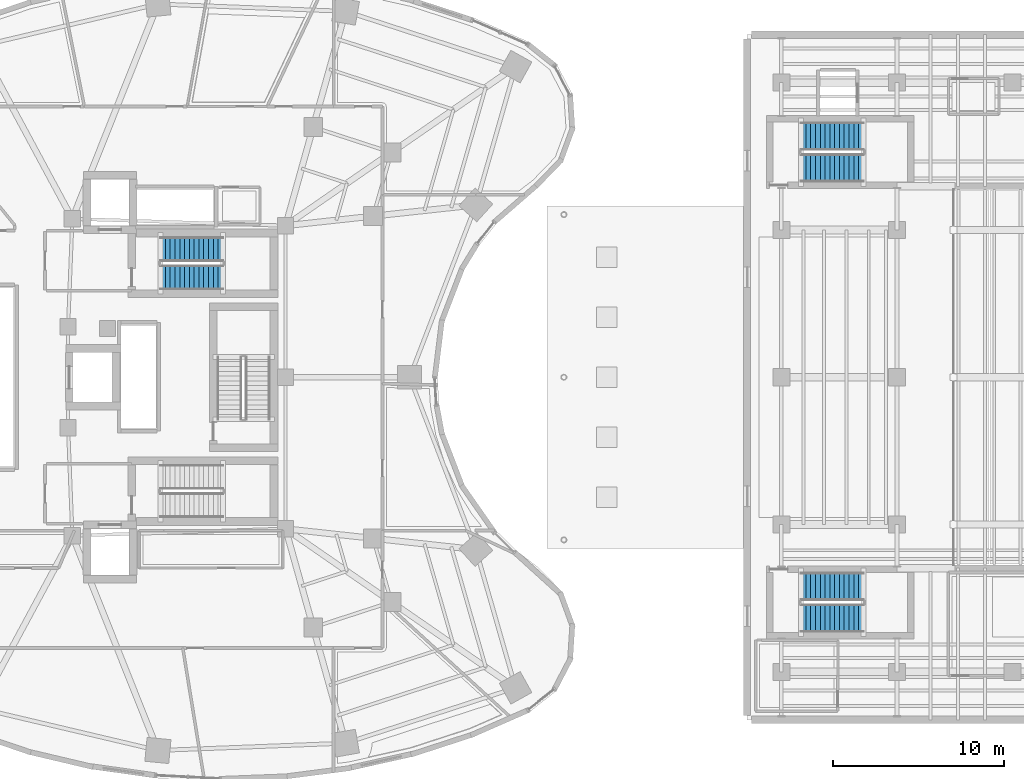
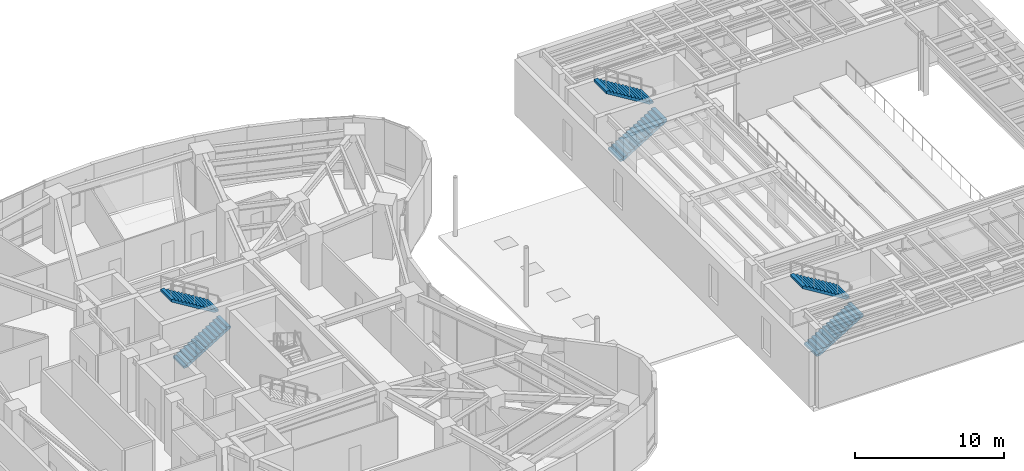
# One storey, part 20 of 24: 6 stair flights, 3 elements without a shape of their own.
"""IFC4 building model written with IfcOpenShell, lengths in metres."""

from ifc_helpers import new_model, si_unit, direction, frame, origin, place, context, subcontext, project, spatial, polyline, outline, extrude, material, type_object, element, aggregate, save


model = new_model("IFC4")

# Units and contexts
model_context = context("Model", 3, precision=1e-05, world=origin(), true_north=direction((0.0, 1.0)))
body_context = subcontext(model_context, "Body", "Model", "MODEL_VIEW")
ifc_project = project(units=[si_unit("LENGTHUNIT", "METRE"), si_unit("AREAUNIT", "SQUARE_METRE"), si_unit("VOLUMEUNIT", "CUBIC_METRE"), si_unit("PLANEANGLEUNIT", "RADIAN"), si_unit("MASSUNIT", "GRAM", prefix="KILO")], contexts=[model_context])

# Site, building, storey
site_placement = place(None, origin())
site = spatial("IfcSite", under=ifc_project, at=site_placement, CompositionType="ELEMENT")
building_placement = place(site_placement, origin())
building = spatial("IfcBuilding", under=site, at=building_placement, Name="Korentha Bioscience Tower", CompositionType="ELEMENT")
storey_placement = place(building_placement, frame((0.0, 0.0, 10.199951171875)))
storey = spatial("IfcBuildingStorey", under=building, at=storey_placement, Name="L02", CompositionType="ELEMENT", Elevation=10.199951171875)

# Stair, stair flights
ifc_material = material(Name="Precast Concrete C50", Category="concrete")
stair_type_1 = type_object("IfcStairType", Name="Core Exit Dog-Leg Stair 1450", PredefinedType="HALF_TURN_STAIR", material=ifc_material)
stair_1_placement = place(storey_placement, origin())
stair_1 = element("IfcStair", 1, at=stair_1_placement, inside=storey, type_object=stair_type_1, Name="L02 Tower North Pressurized Exit Stair ST-1", PredefinedType="HALF_TURN_STAIR")
stair_flight_type_1 = type_object("IfcStairFlightType", Name="Core Exit Dog-Leg Stair 1450 Flight", PredefinedType="STRAIGHT", material=ifc_material)
stair_flight_1_placement = place(storey_placement, frame((30.25, 32.824951171875, 0.0), z_axis=(0.0, 0.0, 1.0), x_axis=(1.0, 0.0, 0.0)))
stair_flight_1 = element("IfcStairFlight", 2, at=stair_flight_1_placement, type_object=stair_flight_type_1, Name="ST-1 flight 1", NumberOfRisers=14, NumberOfTreads=13, PredefinedType="STRAIGHT", RiserHeight=0.171428571, TreadLength=0.28, context=body_context, shape_type="SweptSolid", body=[
    extrude(outline(polyline([(0.0, 0.0), (0.0, 0.17138671875), (0.280029296875, 0.17138671875), (0.280029296875, 0.3427734375), (0.56005859375, 0.3427734375), (0.56005859375, 0.514404296875), (0.840087890625, 0.514404296875), (0.840087890625, 0.685791015625), (1.1201171875, 0.685791015625), (1.1201171875, 0.857177734375), (1.39990234375, 0.857177734375), (1.39990234375, 1.028564453125), (1.679931640625, 1.028564453125), (1.679931640625, 1.199951171875), (1.9599609375, 1.199951171875), (1.9599609375, 1.371337890625), (2.239990234375, 1.371337890625), (2.239990234375, 1.54296875), (2.52001953125, 1.54296875), (2.52001953125, 1.71435546875), (2.800048828125, 1.71435546875), (2.800048828125, 1.8857421875), (3.080078125, 1.8857421875), (3.080078125, 2.05712890625), (3.360107421875, 2.05712890625), (3.360107421875, 2.228515625), (3.639892578125, 2.228515625), (3.639892578125, 2.39990234375), (3.639892578125, 2.041015625), (0.30615234375, 0.0), (0.0, 0.0)])), frame((0.0, 0.72509765625, 0.0), z_axis=(0.0, -1.0, 0.0), x_axis=(1.0, 0.0, 0.0)), (0.0, 0.0, 1.0), 1.449951171875),
])
stair_flight_2_placement = place(storey_placement, frame((33.889892578125, 34.47509765625, 2.400146484375), z_axis=(0.0, 0.0, 1.0), x_axis=(-1.0, 0.0, 0.0)))
stair_flight_2 = element("IfcStairFlight", 3, at=stair_flight_2_placement, type_object=stair_flight_type_1, Name="ST-1 flight 2", NumberOfRisers=14, NumberOfTreads=13, PredefinedType="STRAIGHT", RiserHeight=0.171428571, TreadLength=0.28, context=body_context, shape_type="SweptSolid", body=[
    extrude(outline(polyline([(0.0, 0.0), (0.0, 0.17138671875), (0.280029296875, 0.17138671875), (0.280029296875, 0.3427734375), (0.56005859375, 0.3427734375), (0.56005859375, 0.514404296875), (0.840087890625, 0.514404296875), (0.840087890625, 0.685791015625), (1.1201171875, 0.685791015625), (1.1201171875, 0.857177734375), (1.39990234375, 0.857177734375), (1.39990234375, 1.028564453125), (1.679931640625, 1.028564453125), (1.679931640625, 1.199951171875), (1.9599609375, 1.199951171875), (1.9599609375, 1.371337890625), (2.239990234375, 1.371337890625), (2.239990234375, 1.54296875), (2.52001953125, 1.54296875), (2.52001953125, 1.71435546875), (2.800048828125, 1.71435546875), (2.800048828125, 1.8857421875), (3.080078125, 1.8857421875), (3.080078125, 2.05712890625), (3.360107421875, 2.05712890625), (3.360107421875, 2.228515625), (3.639892578125, 2.228515625), (3.639892578125, 2.39990234375), (3.639892578125, 2.041015625), (0.30615234375, 0.0), (0.0, 0.0)])), frame((0.0, 0.72509765625, 0.0), z_axis=(0.0, -1.0, 0.0), x_axis=(1.0, 0.0, 0.0)), (0.0, 0.0, 1.0), 1.449951171875),
])
aggregate(stair_1, [stair_flight_1, stair_flight_2])

stair_type_2 = type_object("IfcStairType", Name="Theatre Public Dog-Leg Stair 1650", PredefinedType="HALF_TURN_STAIR", material=ifc_material)
stair_2_placement = place(storey_placement, origin())
stair_2 = element("IfcStair", 4, at=stair_2_placement, inside=storey, type_object=stair_type_2, Name="L02 Civic Theatre South Exit Stair ST-T1", PredefinedType="HALF_TURN_STAIR")
stair_flight_type_2 = type_object("IfcStairFlightType", Name="Theatre Public Dog-Leg Stair 1650 Flight", PredefinedType="STRAIGHT", material=ifc_material)
stair_flight_3_placement = place(storey_placement, frame((67.64990234375, 12.925048828125, 0.0), z_axis=(0.0, 0.0, 1.0), x_axis=(1.0, 0.0, 0.0)))
stair_flight_3 = element("IfcStairFlight", 5, at=stair_flight_3_placement, type_object=stair_flight_type_2, Name="ST-T1 flight 1", NumberOfRisers=14, NumberOfTreads=13, PredefinedType="STRAIGHT", RiserHeight=0.171428571, TreadLength=0.28, context=body_context, shape_type="SweptSolid", body=[
    extrude(outline(polyline([(0.0, 0.0), (0.0, 0.17138671875), (0.280029296875, 0.17138671875), (0.280029296875, 0.3427734375), (0.56005859375, 0.3427734375), (0.56005859375, 0.514404296875), (0.840087890625, 0.514404296875), (0.840087890625, 0.685791015625), (1.1201171875, 0.685791015625), (1.1201171875, 0.857177734375), (1.39990234375, 0.857177734375), (1.39990234375, 1.028564453125), (1.679931640625, 1.028564453125), (1.679931640625, 1.199951171875), (1.9599609375, 1.199951171875), (1.9599609375, 1.371337890625), (2.239990234375, 1.371337890625), (2.239990234375, 1.54296875), (2.52001953125, 1.54296875), (2.52001953125, 1.71435546875), (2.800048828125, 1.71435546875), (2.800048828125, 1.8857421875), (3.080078125, 1.8857421875), (3.080078125, 2.05712890625), (3.360107421875, 2.05712890625), (3.360107421875, 2.228515625), (3.639892578125, 2.228515625), (3.639892578125, 2.39990234375), (3.639892578125, 2.041015625), (0.30615234375, 0.0), (0.0, 0.0)])), frame((0.0, 0.824951171875, 0.0), z_axis=(0.0, -1.0, 0.0), x_axis=(1.0, 0.0, 0.0)), (0.0, 0.0, 1.0), 1.64990234375),
])
stair_flight_4_placement = place(storey_placement, frame((71.2900390625, 14.77490234375, 2.400146484375), z_axis=(0.0, 0.0, 1.0), x_axis=(-1.0, 0.0, 0.0)))
stair_flight_4 = element("IfcStairFlight", 6, at=stair_flight_4_placement, type_object=stair_flight_type_2, Name="ST-T1 flight 2", NumberOfRisers=14, NumberOfTreads=13, PredefinedType="STRAIGHT", RiserHeight=0.171428571, TreadLength=0.28, context=body_context, shape_type="SweptSolid", body=[
    extrude(outline(polyline([(0.0, 0.0), (0.0, 0.17138671875), (0.280029296875, 0.17138671875), (0.280029296875, 0.3427734375), (0.56005859375, 0.3427734375), (0.56005859375, 0.514404296875), (0.840087890625, 0.514404296875), (0.840087890625, 0.685791015625), (1.1201171875, 0.685791015625), (1.1201171875, 0.857177734375), (1.39990234375, 0.857177734375), (1.39990234375, 1.028564453125), (1.679931640625, 1.028564453125), (1.679931640625, 1.199951171875), (1.9599609375, 1.199951171875), (1.9599609375, 1.371337890625), (2.239990234375, 1.371337890625), (2.239990234375, 1.54296875), (2.52001953125, 1.54296875), (2.52001953125, 1.71435546875), (2.800048828125, 1.71435546875), (2.800048828125, 1.8857421875), (3.080078125, 1.8857421875), (3.080078125, 2.05712890625), (3.360107421875, 2.05712890625), (3.360107421875, 2.228515625), (3.639892578125, 2.228515625), (3.639892578125, 2.39990234375), (3.639892578125, 2.041015625), (0.30615234375, 0.0), (0.0, 0.0)])), frame((0.0, 0.824951171875, 0.0), z_axis=(0.0, -1.0, 0.0), x_axis=(1.0, 0.0, 0.0)), (0.0, 0.0, 1.0), 1.64990234375),
])
aggregate(stair_2, [stair_flight_3, stair_flight_4])

stair_3_placement = place(storey_placement, origin())
stair_3 = element("IfcStair", 7, at=stair_3_placement, inside=storey, type_object=stair_type_2, Name="L02 Civic Theatre North Exit Stair ST-T2", PredefinedType="HALF_TURN_STAIR")
stair_flight_5_placement = place(storey_placement, frame((67.64990234375, 39.22509765625, 0.0), z_axis=(0.0, 0.0, 1.0), x_axis=(1.0, 0.0, 0.0)))
stair_flight_5 = element("IfcStairFlight", 8, at=stair_flight_5_placement, type_object=stair_flight_type_2, Name="ST-T2 flight 1", NumberOfRisers=14, NumberOfTreads=13, PredefinedType="STRAIGHT", RiserHeight=0.171428571, TreadLength=0.28, context=body_context, shape_type="SweptSolid", body=[
    extrude(outline(polyline([(0.0, 0.0), (0.0, 0.17138671875), (0.280029296875, 0.17138671875), (0.280029296875, 0.3427734375), (0.56005859375, 0.3427734375), (0.56005859375, 0.514404296875), (0.840087890625, 0.514404296875), (0.840087890625, 0.685791015625), (1.1201171875, 0.685791015625), (1.1201171875, 0.857177734375), (1.39990234375, 0.857177734375), (1.39990234375, 1.028564453125), (1.679931640625, 1.028564453125), (1.679931640625, 1.199951171875), (1.9599609375, 1.199951171875), (1.9599609375, 1.371337890625), (2.239990234375, 1.371337890625), (2.239990234375, 1.54296875), (2.52001953125, 1.54296875), (2.52001953125, 1.71435546875), (2.800048828125, 1.71435546875), (2.800048828125, 1.8857421875), (3.080078125, 1.8857421875), (3.080078125, 2.05712890625), (3.360107421875, 2.05712890625), (3.360107421875, 2.228515625), (3.639892578125, 2.228515625), (3.639892578125, 2.39990234375), (3.639892578125, 2.041015625), (0.30615234375, 0.0), (0.0, 0.0)])), frame((0.0, 0.824951171875, 0.0), z_axis=(0.0, -1.0, 0.0), x_axis=(1.0, 0.0, 0.0)), (0.0, 0.0, 1.0), 1.64990234375),
])
stair_flight_6_placement = place(storey_placement, frame((71.2900390625, 41.074951171875, 2.400146484375), z_axis=(0.0, 0.0, 1.0), x_axis=(-1.0, 0.0, 0.0)))
stair_flight_6 = element("IfcStairFlight", 9, at=stair_flight_6_placement, type_object=stair_flight_type_2, Name="ST-T2 flight 2", NumberOfRisers=14, NumberOfTreads=13, PredefinedType="STRAIGHT", RiserHeight=0.171428571, TreadLength=0.28, context=body_context, shape_type="SweptSolid", body=[
    extrude(outline(polyline([(0.0, 0.0), (0.0, 0.17138671875), (0.280029296875, 0.17138671875), (0.280029296875, 0.3427734375), (0.56005859375, 0.3427734375), (0.56005859375, 0.514404296875), (0.840087890625, 0.514404296875), (0.840087890625, 0.685791015625), (1.1201171875, 0.685791015625), (1.1201171875, 0.857177734375), (1.39990234375, 0.857177734375), (1.39990234375, 1.028564453125), (1.679931640625, 1.028564453125), (1.679931640625, 1.199951171875), (1.9599609375, 1.199951171875), (1.9599609375, 1.371337890625), (2.239990234375, 1.371337890625), (2.239990234375, 1.54296875), (2.52001953125, 1.54296875), (2.52001953125, 1.71435546875), (2.800048828125, 1.71435546875), (2.800048828125, 1.8857421875), (3.080078125, 1.8857421875), (3.080078125, 2.05712890625), (3.360107421875, 2.05712890625), (3.360107421875, 2.228515625), (3.639892578125, 2.228515625), (3.639892578125, 2.39990234375), (3.639892578125, 2.041015625), (0.30615234375, 0.0), (0.0, 0.0)])), frame((0.0, 0.824951171875, 0.0), z_axis=(0.0, -1.0, 0.0), x_axis=(1.0, 0.0, 0.0)), (0.0, 0.0, 1.0), 1.64990234375),
])
aggregate(stair_3, [stair_flight_5, stair_flight_6])

save(model, "model.ifc")
